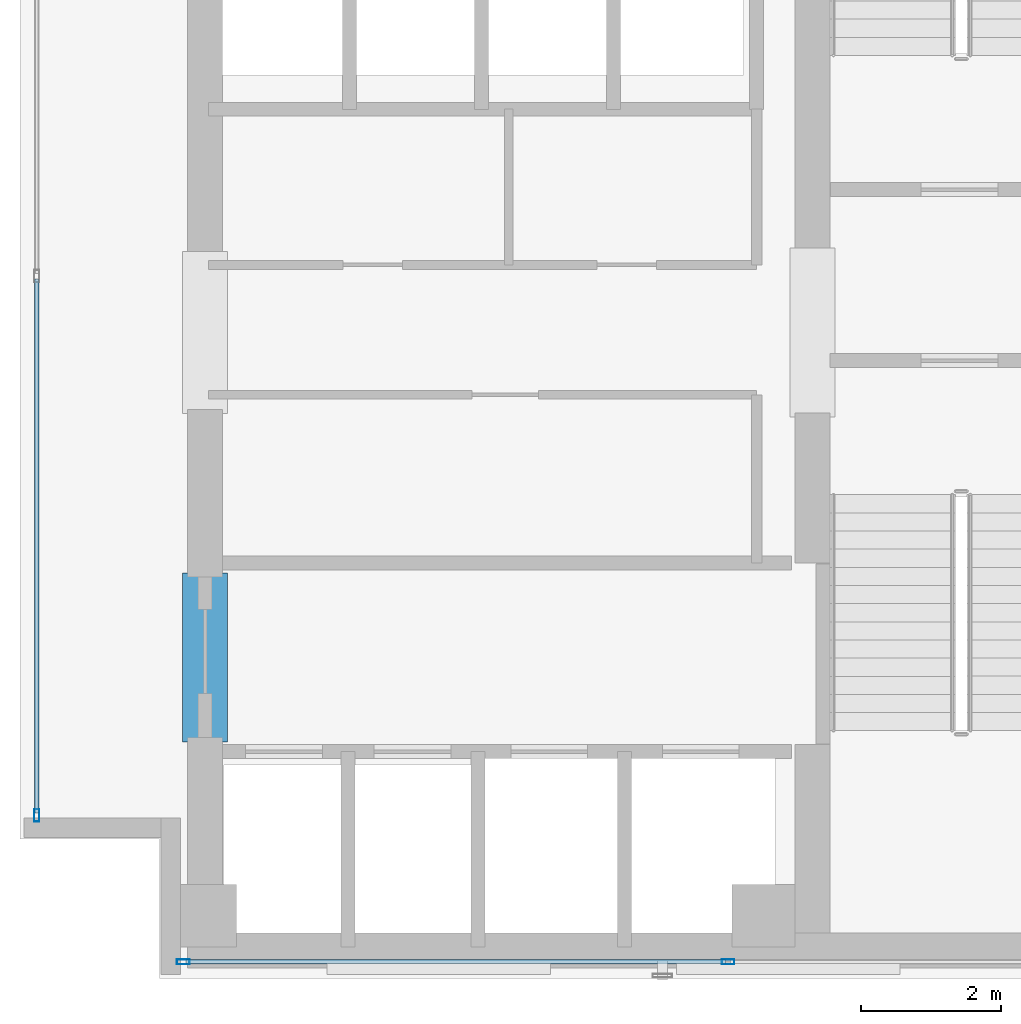
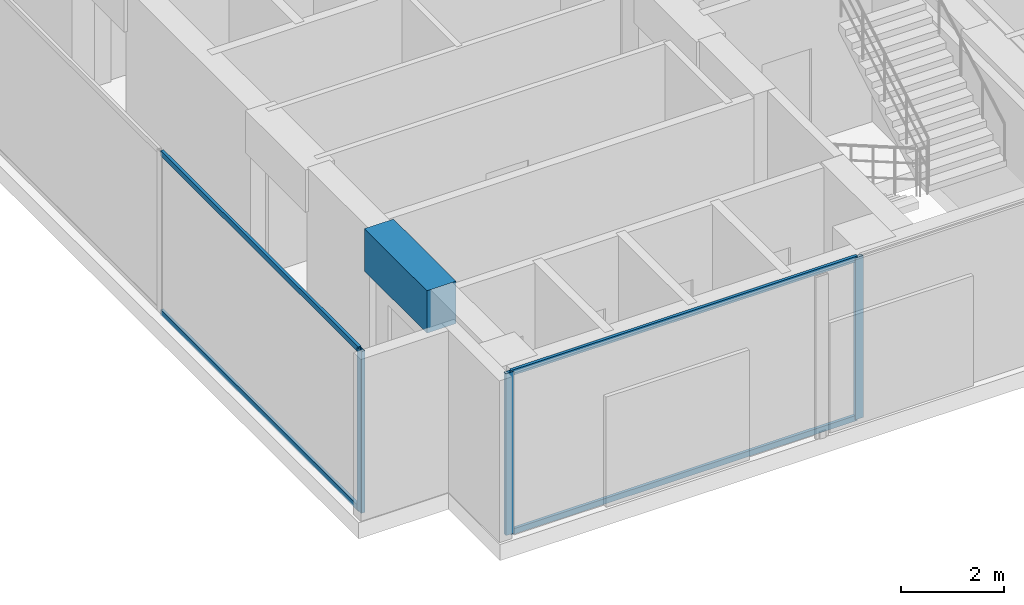
# One storey, part 2 of 24: 7 members, 1 beam, 2 elements without a shape of their own.
"""IFC4 building model written with IfcOpenShell, lengths in metres."""

from ifc_helpers import new_model, si_unit, direction, frame, origin, origin_with_axes, origin_2d, place, context, subcontext, project, spatial, rectangle, hollow_rectangle, extrude, source, transform, mapped, material, layer, layer_set, material_profile, profile_set, type_object, element, aggregate, save


model = new_model("IFC4")

# Units and contexts
model_context = context("Model", 3, precision=1e-05, world=origin(), true_north=direction((0.0, 1.0)))
body_context = subcontext(model_context, "Body", "Model", "MODEL_VIEW")
ifc_project = project(units=[si_unit("LENGTHUNIT", "METRE"), si_unit("AREAUNIT", "SQUARE_METRE"), si_unit("VOLUMEUNIT", "CUBIC_METRE"), si_unit("PLANEANGLEUNIT", "RADIAN"), si_unit("MASSUNIT", "GRAM", prefix="KILO")], contexts=[model_context])

# Site, building, storey
site_placement = place(None, origin())
site = spatial("IfcSite", under=ifc_project, at=site_placement, CompositionType="ELEMENT")
building_placement = place(site_placement, origin())
building = spatial("IfcBuilding", under=site, at=building_placement, Name="Kolvaren Waterfront Exchange", CompositionType="ELEMENT")
storey_placement = place(building_placement, frame((0.0, 0.0, 356.199951171875)))
storey = spatial("IfcBuildingStorey", under=building, at=storey_placement, Name="L91", CompositionType="ELEMENT", Elevation=356.199951171875)

# Beam
ifc_material_1 = material(Name="Concrete C60/75", Category="concrete")
ifc_material_profile_1 = material_profile(ifc_material_1, rectangle(XDim=0.64990234375, YDim=1.0, at=origin_2d()), Name="RC-CB-1000x650")
ifc_profile_set_1 = profile_set([ifc_material_profile_1], Name="Concrete C60/75")
beam_type = type_object("IfcBeamType", Name="STR-CB-1000", PredefinedType="SPANDREL", material=ifc_profile_set_1)
beam_placement = place(storey_placement, frame((7.449951171875, 7.389892578125, 3.320068359375), z_axis=(0.0, 1.0, 0.0), x_axis=(-1.0, 0.0, 0.0)))
element("IfcBeam", 1, at=beam_placement, inside=storey, type_object=beam_type, Name="L91 core coupling beam 3", PredefinedType="SPANDREL", context=body_context, shape_type="SweptSolid", body=[
    extrude(rectangle(XDim=0.64990234375, YDim=1.0, at=origin_2d()), origin(), (0.0, 0.0, 1.0), 2.420166015625),
])

# Curtain wall, members
ifc_material_2 = material(Name="Anodised dark bronze spandrel aluminium", Category="aluminium")
ifc_layer = layer(ifc_material_2, 0.219970703125, Name="Anodised dark bronze spandrel aluminium")
ifc_layer_set = layer_set([ifc_layer], Name="Anodised dark bronze spandrel aluminium")
curtain_wall_type = type_object("IfcCurtainWallType", Name="ARC-CW-SYS6", PredefinedType="USERDEFINED", material=ifc_layer_set)
curtain_wall_1_placement = place(storey_placement, origin())
curtain_wall_1 = element("IfcCurtainWall", 2, at=curtain_wall_1_placement, inside=storey, type_object=curtain_wall_type, Name="L91 stick curtain wall CW6 (CW-L91-S)", ObjectType="STICK CURTAIN WALL", PredefinedType="USERDEFINED")
ifc_material_3 = material(Name="Anodised bronze aluminium 6063-T6", Category="aluminium")
ifc_material_profile_2 = material_profile(ifc_material_3, hollow_rectangle(XDim=0.074951171875, YDim=0.179931640625, WallThickness=0.00439453125, at=origin_2d()), Name="ALU-MUL-180x75x4.5")
ifc_profile_set_2 = profile_set([ifc_material_profile_2], Name="Anodised bronze aluminium 6063-T6")
member_type_1 = type_object("IfcMemberType", Name="ARC-CWM-180", PredefinedType="MULLION", material=ifc_profile_set_2)
shared_shape_1 = source(origin_with_axes(), body_context, "Body", "SweptSolid", [
    extrude(hollow_rectangle(XDim=0.074951171875, YDim=0.179931640625, WallThickness=0.00439453125, at=origin_2d()), origin(), (0.0, 0.0, 1.0), 3.820068359375),
])
member_1_placement = place(storey_placement, frame((7.137451171875, 4.239990234375, 0.0), z_axis=(0.0, 0.0, 1.0), x_axis=(0.0, 1.0, 0.0)))
member_1 = element("IfcMember", 3, at=member_1_placement, type_object=member_type_1, Name="CW6 mullion 1", PredefinedType="MULLION", context=body_context, shape_type="MappedRepresentation", body=[
    mapped(shared_shape_1, transform((0.0, 0.0, 0.0), x_axis=(1.0, 0.0, 0.0), y_axis=(0.0, 1.0, 0.0), z_axis=(0.0, 0.0, 1.0), scale=1.0)),
])
member_2_placement = place(storey_placement, frame((14.93994140625, 4.239990234375, 0.0), z_axis=(0.0, 0.0, 1.0), x_axis=(0.0, 1.0, 0.0)))
member_2 = element("IfcMember", 4, at=member_2_placement, type_object=member_type_1, Name="CW6 mullion 2", PredefinedType="MULLION", context=body_context, shape_type="MappedRepresentation", body=[
    mapped(shared_shape_1, transform((0.0, 0.0, 0.0), x_axis=(1.0, 0.0, 0.0), y_axis=(0.0, 1.0, 0.0), z_axis=(0.0, 0.0, 1.0), scale=1.0)),
])

# Curtain wall, member
curtain_wall_2_placement = place(storey_placement, origin())
curtain_wall_2 = element("IfcCurtainWall", 5, at=curtain_wall_2_placement, inside=storey, type_object=curtain_wall_type, Name="L91 stick curtain wall CW6 (CW-L91-W)", ObjectType="STICK CURTAIN WALL", PredefinedType="USERDEFINED")
member_3_placement = place(storey_placement, frame((5.0400390625, 6.33740234375, 0.0), z_axis=(0.0, 0.0, 1.0), x_axis=(-1.0, 0.0, 0.0)))
member_3 = element("IfcMember", 6, at=member_3_placement, type_object=member_type_1, Name="CW6 mullion 1", PredefinedType="MULLION", context=body_context, shape_type="MappedRepresentation", body=[
    mapped(shared_shape_1, transform((0.0, 0.0, 0.0), x_axis=(1.0, 0.0, 0.0), y_axis=(0.0, 1.0, 0.0), z_axis=(0.0, 0.0, 1.0), scale=1.0)),
])

# Member
ifc_material_profile_3 = material_profile(ifc_material_3, hollow_rectangle(XDim=0.06494140625, YDim=0.1298828125, WallThickness=0.00390625, at=origin_2d()), Name="ALU-TRN-130x65x4")
ifc_profile_set_3 = profile_set([ifc_material_profile_3], Name="Anodised bronze aluminium 6063-T6")
member_type_2 = type_object("IfcMemberType", Name="ARC-CWT-130", PredefinedType="USERDEFINED", material=ifc_profile_set_3)
shared_shape_2 = source(origin_with_axes(), body_context, "Body", "SweptSolid", [
    extrude(hollow_rectangle(XDim=0.06494140625, YDim=0.1298828125, WallThickness=0.00390625, at=origin_2d()), origin(), (0.0, 0.0, 1.0), 7.7275390625),
])
member_4_placement = place(storey_placement, frame((7.175048828125, 4.239990234375, 0.032470703125), z_axis=(1.0, 0.0, 0.0), x_axis=(0.0, 1.0, 0.0)))
member_4 = element("IfcMember", 7, at=member_4_placement, type_object=member_type_2, Name="CW6 transom 1.1", ObjectType="TRANSOM", PredefinedType="USERDEFINED", context=body_context, shape_type="MappedRepresentation", body=[
    mapped(shared_shape_2, transform((0.0, 0.0, 0.0), x_axis=(1.0, 0.0, 0.0), y_axis=(0.0, 1.0, 0.0), z_axis=(0.0, 0.0, 1.0), scale=1.0)),
])

member_5_placement = place(storey_placement, frame((7.175048828125, 4.239990234375, 3.78759765625), z_axis=(1.0, 0.0, 0.0), x_axis=(0.0, 1.0, 0.0)))
member_5 = element("IfcMember", 8, at=member_5_placement, type_object=member_type_2, Name="CW6 transom 1.2", ObjectType="TRANSOM", PredefinedType="USERDEFINED", context=body_context, shape_type="MappedRepresentation", body=[
    mapped(shared_shape_2, transform((0.0, 0.0, 0.0), x_axis=(1.0, 0.0, 0.0), y_axis=(0.0, 1.0, 0.0), z_axis=(0.0, 0.0, 1.0), scale=1.0)),
])

aggregate(curtain_wall_1, [member_1, member_2, member_4, member_5])

shared_shape_3 = source(origin_with_axes(), body_context, "Body", "SweptSolid", [
    extrude(hollow_rectangle(XDim=0.06494140625, YDim=0.1298828125, WallThickness=0.00390625, at=origin_2d()), origin(), (0.0, 0.0, 1.0), 7.6474609375),
])
member_6_placement = place(storey_placement, frame((5.0400390625, 6.375, 0.032470703125), z_axis=(0.0, 1.0, 0.0), x_axis=(-1.0, 0.0, 0.0)))
member_6 = element("IfcMember", 9, at=member_6_placement, type_object=member_type_2, Name="CW6 transom 1.1", ObjectType="TRANSOM", PredefinedType="USERDEFINED", context=body_context, shape_type="MappedRepresentation", body=[
    mapped(shared_shape_3, transform((0.0, 0.0, 0.0), x_axis=(1.0, 0.0, 0.0), y_axis=(0.0, 1.0, 0.0), z_axis=(0.0, 0.0, 1.0), scale=1.0)),
])

member_7_placement = place(storey_placement, frame((5.0400390625, 6.375, 3.78759765625), z_axis=(0.0, 1.0, 0.0), x_axis=(-1.0, 0.0, 0.0)))
member_7 = element("IfcMember", 10, at=member_7_placement, type_object=member_type_2, Name="CW6 transom 1.2", ObjectType="TRANSOM", PredefinedType="USERDEFINED", context=body_context, shape_type="MappedRepresentation", body=[
    mapped(shared_shape_3, transform((0.0, 0.0, 0.0), x_axis=(1.0, 0.0, 0.0), y_axis=(0.0, 1.0, 0.0), z_axis=(0.0, 0.0, 1.0), scale=1.0)),
])

aggregate(curtain_wall_2, [member_3, member_6, member_7])

save(model, "model.ifc")
